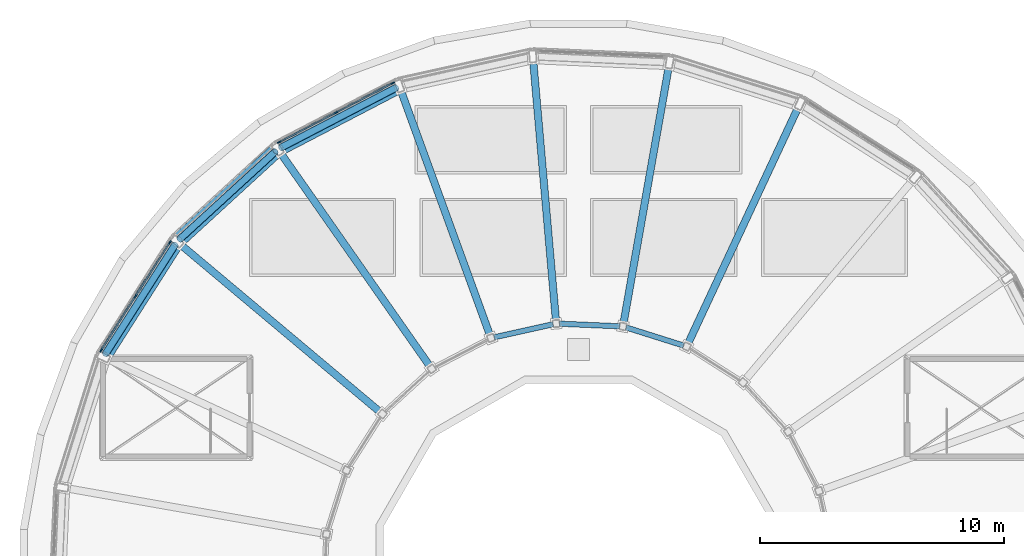
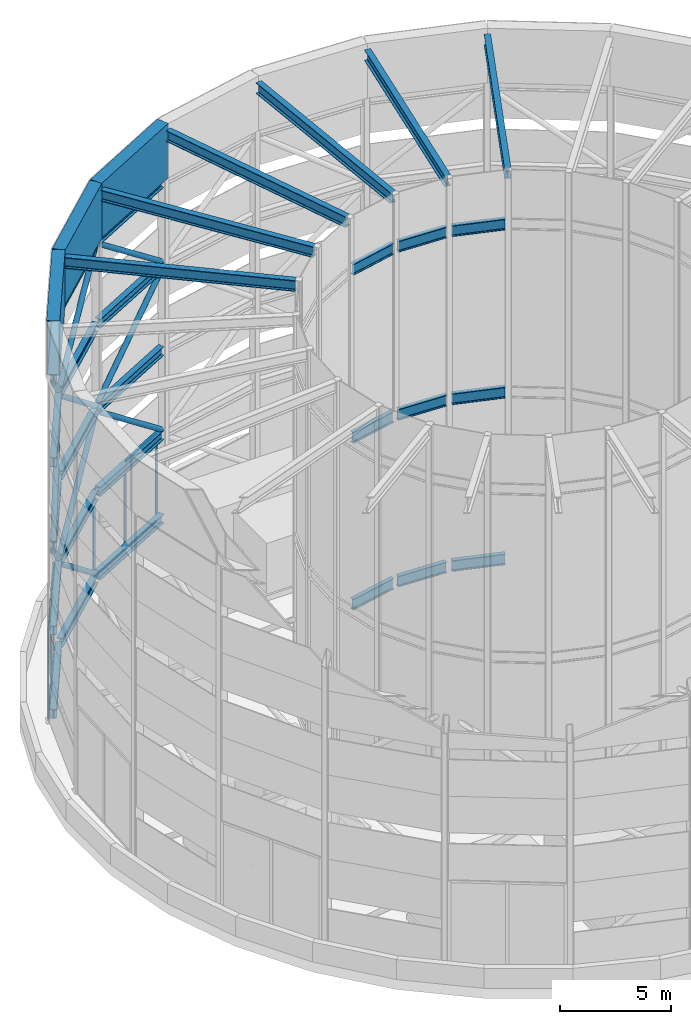
# One storey, part 10 of 20: 33 beams, 24 members, 2 elements without a shape of their own.
"""IFC4 building model written with IfcOpenShell, lengths in metres."""

from ifc_helpers import new_model, si_unit, direction, frame, origin, origin_2d, place, context, subcontext, project, spatial, rectangle, hollow_rectangle, hollow_circle, i_section, extrude, material, layer, layer_set, material_profile, profile_set, type_object, element, aggregate, save


model = new_model("IFC4")

# Units and contexts
model_context = context("Model", 3, precision=1e-05, world=origin(), true_north=direction((0.0, 1.0)))
body_context = subcontext(model_context, "Body", "Model", "MODEL_VIEW")
ifc_project = project(units=[si_unit("LENGTHUNIT", "METRE"), si_unit("AREAUNIT", "SQUARE_METRE"), si_unit("VOLUMEUNIT", "CUBIC_METRE"), si_unit("PLANEANGLEUNIT", "RADIAN"), si_unit("MASSUNIT", "GRAM", prefix="KILO")], contexts=[model_context])

# Site, building, storey
site_placement = place(None, origin())
site = spatial("IfcSite", under=ifc_project, at=site_placement, CompositionType="ELEMENT")
building_placement = place(site_placement, origin())
building = spatial("IfcBuilding", under=site, at=building_placement, Name="Saqina Gate Tower", CompositionType="ELEMENT")
storey_placement = place(building_placement, frame((0.0, 0.0, 284.199951171875)))
storey = spatial("IfcBuildingStorey", under=building, at=storey_placement, Name="RF", CompositionType="ELEMENT", Elevation=284.199951171875)

# Curtain wall, members
ifc_material_1 = material(Name="Aluminium glazing", Category="aluminium")
ifc_layer = layer(ifc_material_1, 0.159912109375)
ifc_layer_set = layer_set([ifc_layer], Name="CWT-5")
curtain_wall_type = type_object("IfcCurtainWallType", Name="CWT-5", PredefinedType="NOTDEFINED", material=ifc_layer_set)
curtain_wall_1_placement = place(storey_placement, origin())
curtain_wall_1 = element("IfcCurtainWall", 1, at=curtain_wall_1_placement, inside=storey, type_object=curtain_wall_type, Name="Crown glazing bay 8", PredefinedType="NOTDEFINED")
ifc_material_2 = material(Name="Aluminium", Category="aluminium")
ifc_material_profile_1 = material_profile(ifc_material_2, rectangle(XDim=0.06005859375, YDim=0.159912109375, at=origin_2d()), Name="Aluminium 60x160")
ifc_profile_set_1 = profile_set([ifc_material_profile_1], Name="Aluminium")
member_type_1 = type_object("IfcMemberType", Name="CWT-5M", PredefinedType="MULLION", material=ifc_profile_set_1)
member_1_placement = place(storey_placement, frame((-7.6201171875, 20.32373046875, 0.0), z_axis=(0.0, 0.0, 1.0), x_axis=(0.461751109849, -0.887009533519, 0.0)))
member_1 = element("IfcMember", 2, at=member_1_placement, type_object=member_type_1, Name="CW5-08 mullion 1", PredefinedType="MULLION", context=body_context, shape_type="SweptSolid", body=[
    extrude(rectangle(XDim=0.06005859375, YDim=0.159912109375, at=origin_2d()), origin(), (0.0, 0.0, 1.0), 4.875),
])
member_2_placement = place(storey_placement, frame((-9.948974609375, 19.111572265625, 0.0), z_axis=(0.0, 0.0, 1.0), x_axis=(0.461751109849, -0.887009533519, 0.0)))
member_2 = element("IfcMember", 3, at=member_2_placement, type_object=member_type_1, Name="CW5-08 mullion 2", PredefinedType="MULLION", context=body_context, shape_type="SweptSolid", body=[
    extrude(rectangle(XDim=0.06005859375, YDim=0.159912109375, at=origin_2d()), origin(), (0.0, 0.0, 1.0), 4.875),
])
member_3_placement = place(storey_placement, frame((-12.277587890625, 17.8994140625, 0.0), z_axis=(0.0, 0.0, 1.0), x_axis=(0.461751109849, -0.887009533519, 0.0)))
member_3 = element("IfcMember", 4, at=member_3_placement, type_object=member_type_1, Name="CW5-08 mullion 3", PredefinedType="MULLION", context=body_context, shape_type="SweptSolid", body=[
    extrude(rectangle(XDim=0.06005859375, YDim=0.159912109375, at=origin_2d()), origin(), (0.0, 0.0, 1.0), 4.875),
])

curtain_wall_2_placement = place(storey_placement, origin())
curtain_wall_2 = element("IfcCurtainWall", 5, at=curtain_wall_2_placement, inside=storey, type_object=curtain_wall_type, Name="Crown glazing bay 10", PredefinedType="NOTDEFINED")
member_4_placement = place(storey_placement, frame((-16.76123046875, 13.791015625, 0.0), z_axis=(0.0, 0.0, 1.0), x_axis=(0.843394662537, -0.537294559068, 0.0)))
member_4 = element("IfcMember", 6, at=member_4_placement, type_object=member_type_1, Name="CW5-10 mullion 1", PredefinedType="MULLION", context=body_context, shape_type="SweptSolid", body=[
    extrude(rectangle(XDim=0.06005859375, YDim=0.159912109375, at=origin_2d()), origin(), (0.0, 0.0, 1.0), 4.875),
])
member_5_placement = place(storey_placement, frame((-18.171875, 11.57666015625, 0.0), z_axis=(0.0, 0.0, 1.0), x_axis=(0.843394662537, -0.537294559068, 0.0)))
member_5 = element("IfcMember", 7, at=member_5_placement, type_object=member_type_1, Name="CW5-10 mullion 2", PredefinedType="MULLION", context=body_context, shape_type="SweptSolid", body=[
    extrude(rectangle(XDim=0.06005859375, YDim=0.159912109375, at=origin_2d()), origin(), (0.0, 0.0, 1.0), 4.875),
])
member_6_placement = place(storey_placement, frame((-19.582275390625, 9.362548828125, 0.0), z_axis=(0.0, 0.0, 1.0), x_axis=(0.843394662537, -0.537294559068, 0.0)))
member_6 = element("IfcMember", 8, at=member_6_placement, type_object=member_type_1, Name="CW5-10 mullion 3", PredefinedType="MULLION", context=body_context, shape_type="SweptSolid", body=[
    extrude(rectangle(XDim=0.06005859375, YDim=0.159912109375, at=origin_2d()), origin(), (0.0, 0.0, 1.0), 4.875),
])

# Member
ifc_material_3 = material(Name="Aluminium", Category="aluminium")
ifc_material_profile_2 = material_profile(ifc_material_3, rectangle(XDim=0.06005859375, YDim=0.1201171875, at=origin_2d()), Name="Aluminium 60x120")
ifc_profile_set_2 = profile_set([ifc_material_profile_2], Name="Aluminium")
member_type_2 = type_object("IfcMemberType", Name="CWT-5T", PredefinedType="USERDEFINED", material=ifc_profile_set_2)
member_7_placement = place(storey_placement, frame((-7.646728515625, 20.31005859375, 0.030029296875), z_axis=(-0.887018841903, -0.461733228292, 0.0), x_axis=(0.461733228292, -0.887018841903, 0.0)))
member_7 = element("IfcMember", 9, at=member_7_placement, type_object=member_type_2, Name="CW5-08 transom 1.1", ObjectType="TRANSOM", PredefinedType="USERDEFINED", context=body_context, shape_type="SweptSolid", body=[
    extrude(rectangle(XDim=0.06005859375, YDim=0.1201171875, at=origin_2d()), origin(), (0.0, 0.0, 1.0), 2.5654296875),
])

member_8_placement = place(storey_placement, frame((-7.646728515625, 20.31005859375, 4.844970703125), z_axis=(-0.887018841903, -0.461733228292, 0.0), x_axis=(0.461733228292, -0.887018841903, 0.0)))
member_8 = element("IfcMember", 10, at=member_8_placement, type_object=member_type_2, Name="CW5-08 transom 1.2", ObjectType="TRANSOM", PredefinedType="USERDEFINED", context=body_context, shape_type="SweptSolid", body=[
    extrude(rectangle(XDim=0.06005859375, YDim=0.1201171875, at=origin_2d()), origin(), (0.0, 0.0, 1.0), 2.5654296875),
])

member_9_placement = place(storey_placement, frame((-9.9755859375, 19.09765625, 0.030029296875), z_axis=(-0.88699855071, -0.461772206872, 0.0), x_axis=(0.461772206872, -0.88699855071, 0.0)))
member_9 = element("IfcMember", 11, at=member_9_placement, type_object=member_type_2, Name="CW5-08 transom 2.1", ObjectType="TRANSOM", PredefinedType="USERDEFINED", context=body_context, shape_type="SweptSolid", body=[
    extrude(rectangle(XDim=0.06005859375, YDim=0.1201171875, at=origin_2d()), origin(), (0.0, 0.0, 1.0), 2.565185546875),
])

member_10_placement = place(storey_placement, frame((-9.9755859375, 19.09765625, 4.844970703125), z_axis=(-0.88699855071, -0.461772206872, 0.0), x_axis=(0.461772206872, -0.88699855071, 0.0)))
member_10 = element("IfcMember", 12, at=member_10_placement, type_object=member_type_2, Name="CW5-08 transom 2.2", ObjectType="TRANSOM", PredefinedType="USERDEFINED", context=body_context, shape_type="SweptSolid", body=[
    extrude(rectangle(XDim=0.06005859375, YDim=0.1201171875, at=origin_2d()), origin(), (0.0, 0.0, 1.0), 2.565185546875),
])

aggregate(curtain_wall_1, [member_1, member_2, member_3, member_7, member_8, member_9, member_10])

member_11_placement = place(storey_placement, frame((-16.77734375, 13.765625, 0.030029296875), z_axis=(-0.537318789188, -0.843379225963, 0.0), x_axis=(0.843379225963, -0.537318789188, 0.0)))
member_11 = element("IfcMember", 13, at=member_11_placement, type_object=member_type_2, Name="CW5-10 transom 1.1", ObjectType="TRANSOM", PredefinedType="USERDEFINED", context=body_context, shape_type="SweptSolid", body=[
    extrude(rectangle(XDim=0.06005859375, YDim=0.1201171875, at=origin_2d()), origin(), (0.0, 0.0, 1.0), 2.5654296875),
])

member_12_placement = place(storey_placement, frame((-16.77734375, 13.765625, 4.844970703125), z_axis=(-0.537318789188, -0.843379225963, 0.0), x_axis=(0.843379225963, -0.537318789188, 0.0)))
member_12 = element("IfcMember", 14, at=member_12_placement, type_object=member_type_2, Name="CW5-10 transom 1.2", ObjectType="TRANSOM", PredefinedType="USERDEFINED", context=body_context, shape_type="SweptSolid", body=[
    extrude(rectangle(XDim=0.06005859375, YDim=0.1201171875, at=origin_2d()), origin(), (0.0, 0.0, 1.0), 2.5654296875),
])

member_13_placement = place(storey_placement, frame((-18.18798828125, 11.551513671875, 0.030029296875), z_axis=(-0.537207969155, -0.843449819418, 0.0), x_axis=(0.843449819418, -0.537207969155, 0.0)))
member_13 = element("IfcMember", 15, at=member_13_placement, type_object=member_type_2, Name="CW5-10 transom 2.1", ObjectType="TRANSOM", PredefinedType="USERDEFINED", context=body_context, shape_type="SweptSolid", body=[
    extrude(rectangle(XDim=0.06005859375, YDim=0.1201171875, at=origin_2d()), origin(), (0.0, 0.0, 1.0), 2.5654296875),
])

member_14_placement = place(storey_placement, frame((-18.18798828125, 11.551513671875, 4.844970703125), z_axis=(-0.537207969155, -0.843449819418, 0.0), x_axis=(0.843449819418, -0.537207969155, 0.0)))
member_14 = element("IfcMember", 16, at=member_14_placement, type_object=member_type_2, Name="CW5-10 transom 2.2", ObjectType="TRANSOM", PredefinedType="USERDEFINED", context=body_context, shape_type="SweptSolid", body=[
    extrude(rectangle(XDim=0.06005859375, YDim=0.1201171875, at=origin_2d()), origin(), (0.0, 0.0, 1.0), 2.5654296875),
])

aggregate(curtain_wall_2, [member_4, member_5, member_6, member_11, member_12, member_13, member_14])

# Beams
ifc_material_4 = material(Name="Steel S460", Category="steel")
ifc_material_profile_3 = material_profile(ifc_material_4, hollow_rectangle(XDim=0.60009765625, YDim=3.0, WallThickness=0.0400390625, at=origin_2d()), Name="BOX 600x3000x40")
ifc_profile_set_3 = profile_set([ifc_material_profile_3], Name="Steel S460")
beam_type_1 = type_object("IfcBeamType", Name="STR-CROWN CAP GIRDER-BOX 600x3000x40", PredefinedType="BEAM", material=ifc_profile_set_3)
beam_1_placement = place(storey_placement, frame((-7.353515625, 20.203369140625, 20.5), z_axis=(-0.887008743782, -0.461752626906, 0.0), x_axis=(0.461752626906, -0.887008743782, 0.0)))
element("IfcBeam", 17, at=beam_1_placement, inside=storey, type_object=beam_type_1, Name="CROWN CAP GIRDER 08", PredefinedType="BEAM", context=body_context, shape_type="SweptSolid", body=[
    extrude(hollow_rectangle(XDim=0.60009765625, YDim=3.0, WallThickness=0.0400390625, at=origin_2d()), origin(), (0.0, 0.0, 1.0), 5.6123046875),
])
beam_2_placement = place(storey_placement, frame((-12.331787109375, 17.61181640625, 20.5), z_axis=(-0.737273293966, -0.67559461958, 0.0), x_axis=(0.67559461958, -0.737273293966, 0.0)))
element("IfcBeam", 18, at=beam_2_placement, inside=storey, type_object=beam_type_1, Name="CROWN CAP GIRDER 09", PredefinedType="BEAM", context=body_context, shape_type="SweptSolid", body=[
    extrude(hollow_rectangle(XDim=0.60009765625, YDim=3.0, WallThickness=0.0400390625, at=origin_2d()), origin(), (0.0, 0.0, 1.0), 5.61279296875),
])
beam_3_placement = place(storey_placement, frame((-16.469970703125, 13.81982421875, 20.5), z_axis=(-0.537294803616, -0.843394506745, 0.0), x_axis=(0.843394506745, -0.537294803616, 0.0)))
element("IfcBeam", 19, at=beam_3_placement, inside=storey, type_object=beam_type_1, Name="CROWN CAP GIRDER 10", PredefinedType="BEAM", context=body_context, shape_type="SweptSolid", body=[
    extrude(hollow_rectangle(XDim=0.60009765625, YDim=3.0, WallThickness=0.0400390625, at=origin_2d()), origin(), (0.0, 0.0, 1.0), 5.612548828125),
])
ifc_material_5 = material(Name="Steel S460", Category="steel")
ifc_material_profile_4 = material_profile(ifc_material_5, i_section(OverallWidth=0.300048828125, OverallDepth=0.60009765625, WebThickness=0.015380859375, FlangeThickness=0.030029296875, FilletRadius=0.027099609375, at=origin_2d()), Name="HE 600 B")
ifc_profile_set_4 = profile_set([ifc_material_profile_4], Name="Steel S460")
beam_type_2 = type_object("IfcBeamType", Name="STR-CROWN DECK BEAM-HE 600 B", PredefinedType="BEAM", material=ifc_profile_set_4)
for number, where, z_axis, x_axis, name in (
    (20, (4.4931640625, 9.6357421875, 21.400146484375), (0.422623655806, 0.906305271723, 0.0), (-0.906305271723, 0.422623655806, 0.0), "CROWN DECK BEAM 05"),
    (21, (1.84619140625, 10.470458984375, 21.400146484375), (0.173656179436, 0.984806342051, 0.0), (-0.984806342051, 0.173656179436, 0.0), "CROWN DECK BEAM 06"),
    (22, (-0.9267578125, 10.591552734375, 21.400146484375), (-0.087140011874, 0.99619607424, 0.0), (-0.99619607424, -0.087140011874, 0.0), "CROWN DECK BEAM 07"),
):
    element("IfcBeam", number, at=place(storey_placement, frame(where, z_axis=z_axis, x_axis=x_axis)), inside=storey, type_object=beam_type_2, Name=name, PredefinedType="BEAM", context=body_context, shape_type="SweptSolid", body=[
        extrude(i_section(OverallWidth=0.300048828125, OverallDepth=0.60009765625, WebThickness=0.015380859375, FlangeThickness=0.030029296875, FilletRadius=0.027099609375, at=origin_2d()), origin(), (0.0, 0.0, 1.0), 10.568115234375),
    ])
beam_4_placement = place(storey_placement, frame((-3.636474609375, 9.99072265625, 21.400146484375), z_axis=(-0.342002737309, 0.939698955875, 0.0), x_axis=(-0.939698955875, -0.342002737309, 0.0)))
element("IfcBeam", 23, at=beam_4_placement, inside=storey, type_object=beam_type_2, Name="CROWN DECK BEAM 08", PredefinedType="BEAM", context=body_context, shape_type="SweptSolid", body=[
    extrude(i_section(OverallWidth=0.300048828125, OverallDepth=0.60009765625, WebThickness=0.015380859375, FlangeThickness=0.030029296875, FilletRadius=0.027099609375, at=origin_2d()), origin(), (0.0, 0.0, 1.0), 10.56787109375),
])
for number, where, z_axis, x_axis, name in (
    (24, (-6.09814453125, 8.709228515625, 21.400146484375), (-0.573592574994, 0.819140743652, 0.0), (-0.819140743652, -0.573592574994, 0.0), "CROWN DECK BEAM 09"),
    (25, (-8.14453125, 6.834228515625, 21.400146484375), (-0.766050628651, 0.642780237985, 0.0), (-0.642780237985, -0.766050628651, 0.0), "CROWN DECK BEAM 10"),
):
    element("IfcBeam", number, at=place(storey_placement, frame(where, z_axis=z_axis, x_axis=x_axis)), inside=storey, type_object=beam_type_2, Name=name, PredefinedType="BEAM", context=body_context, shape_type="SweptSolid", body=[
        extrude(i_section(OverallWidth=0.300048828125, OverallDepth=0.60009765625, WebThickness=0.015380859375, FlangeThickness=0.030029296875, FilletRadius=0.027099609375, at=origin_2d()), origin(), (0.0, 0.0, 1.0), 10.568115234375),
    ])

# Members
ifc_material_6 = material(Name="Steel S460", Category="steel")
ifc_material_profile_5 = material_profile(ifc_material_6, hollow_circle(Radius=0.136474609375, WallThickness=0.012451171875, at=origin_2d()), Name="CHS 273x12.5")
ifc_profile_set_5 = profile_set([ifc_material_profile_5], Name="Steel S460")
member_type_3 = type_object("IfcMemberType", Name="STR-CROWN FRAME BRACE-CHS 273x12.5", PredefinedType="BRACE", material=ifc_profile_set_5)
member_15_placement = place(storey_placement, frame((-7.469970703125, 20.142822265625, 5.113037109375), z_axis=(-0.700921995661, -0.364903517729, 0.612824427343), x_axis=(0.461775119226, -0.886997034529, 0.0)))
element("IfcMember", 26, at=member_15_placement, inside=storey, type_object=member_type_3, Name="CROWN FRAME BRACE 2-08", PredefinedType="BRACE", context=body_context, shape_type="SweptSolid", body=[
    extrude(hollow_circle(Radius=0.136474609375, WallThickness=0.012451171875, at=origin_2d()), origin(), (0.0, 0.0, 1.0), 6.770263671875),
])
member_16_placement = place(storey_placement, frame((-16.373046875, 13.90869140625, 5.113037109375), z_axis=(0.58261132659, 0.5338560336, 0.612830953459), x_axis=(-0.675584094142, 0.73728293873, 0.0)))
element("IfcMember", 27, at=member_16_placement, inside=storey, type_object=member_type_3, Name="CROWN FRAME BRACE 2-09", PredefinedType="BRACE", context=body_context, shape_type="SweptSolid", body=[
    extrude(hollow_circle(Radius=0.136474609375, WallThickness=0.012451171875, at=origin_2d()), origin(), (0.0, 0.0, 1.0), 6.77001953125),
])
for number, where, z_axis, x_axis, name in (
    (28, (-16.54052734375, 13.709228515625, 5.113037109375), (-0.424579246373, -0.666474743627, 0.612816350676), (0.843398322756, -0.537288813555, 0.0), "CROWN FRAME BRACE 2-10"),
    (29, (-12.21533203125, 17.67236328125, 9.738037109375), (0.700921995661, 0.364903517729, 0.612824427343), (-0.461775119226, 0.886997034529, 0.0), "CROWN FRAME BRACE 3-08"),
):
    element("IfcMember", number, at=place(storey_placement, frame(where, z_axis=z_axis, x_axis=x_axis)), inside=storey, type_object=member_type_3, Name=name, PredefinedType="BRACE", context=body_context, shape_type="SweptSolid", body=[
        extrude(hollow_circle(Radius=0.136474609375, WallThickness=0.012451171875, at=origin_2d()), origin(), (0.0, 0.0, 1.0), 6.770263671875),
    ])
member_17_placement = place(storey_placement, frame((-12.4287109375, 17.52294921875, 9.738037109375), z_axis=(-0.58261132659, -0.5338560336, 0.612830953459), x_axis=(0.675584094142, -0.73728293873, 0.0)))
element("IfcMember", 30, at=member_17_placement, inside=storey, type_object=member_type_3, Name="CROWN FRAME BRACE 3-09", PredefinedType="BRACE", context=body_context, shape_type="SweptSolid", body=[
    extrude(hollow_circle(Radius=0.136474609375, WallThickness=0.012451171875, at=origin_2d()), origin(), (0.0, 0.0, 1.0), 6.77001953125),
])
for number, where, z_axis, x_axis, name in (
    (31, (-19.4150390625, 9.197021484375, 9.738037109375), (0.424579246373, 0.666474743627, 0.612816350676), (-0.843398322756, 0.537288813555, 0.0), "CROWN FRAME BRACE 3-10"),
    (32, (-7.469970703125, 20.142822265625, 14.363037109375), (-0.700921995661, -0.364903517729, 0.612824427343), (0.461775119226, -0.886997034529, 0.0), "CROWN FRAME BRACE 4-08"),
):
    element("IfcMember", number, at=place(storey_placement, frame(where, z_axis=z_axis, x_axis=x_axis)), inside=storey, type_object=member_type_3, Name=name, PredefinedType="BRACE", context=body_context, shape_type="SweptSolid", body=[
        extrude(hollow_circle(Radius=0.136474609375, WallThickness=0.012451171875, at=origin_2d()), origin(), (0.0, 0.0, 1.0), 6.770263671875),
    ])
member_18_placement = place(storey_placement, frame((-16.373046875, 13.90869140625, 14.363037109375), z_axis=(0.58261132659, 0.5338560336, 0.612830953459), x_axis=(-0.675584094142, 0.73728293873, 0.0)))
element("IfcMember", 33, at=member_18_placement, inside=storey, type_object=member_type_3, Name="CROWN FRAME BRACE 4-09", PredefinedType="BRACE", context=body_context, shape_type="SweptSolid", body=[
    extrude(hollow_circle(Radius=0.136474609375, WallThickness=0.012451171875, at=origin_2d()), origin(), (0.0, 0.0, 1.0), 6.77001953125),
])
member_19_placement = place(storey_placement, frame((-16.54052734375, 13.709228515625, 14.363037109375), z_axis=(-0.424579246373, -0.666474743627, 0.612816350676), x_axis=(0.843398322756, -0.537288813555, 0.0)))
element("IfcMember", 34, at=member_19_placement, inside=storey, type_object=member_type_3, Name="CROWN FRAME BRACE 4-10", PredefinedType="BRACE", context=body_context, shape_type="SweptSolid", body=[
    extrude(hollow_circle(Radius=0.136474609375, WallThickness=0.012451171875, at=origin_2d()), origin(), (0.0, 0.0, 1.0), 6.770263671875),
])
ifc_material_7 = material(Name="Steel S460", Category="steel")
ifc_material_profile_6 = material_profile(ifc_material_7, hollow_circle(Radius=0.136474609375, WallThickness=0.02490234375, at=origin_2d()), Name="CHS 273x25")
ifc_profile_set_6 = profile_set([ifc_material_profile_6], Name="Steel S460")
member_type_4 = type_object("IfcMemberType", Name="STR-CROWN FRAME BRACE-CHS 273x25", PredefinedType="BRACE", material=ifc_profile_set_6)
member_20_placement = place(storey_placement, frame((-12.4287109375, 17.52294921875, 0.512939453125), z_axis=(-0.583925118672, -0.5350598822, 0.610526312491), x_axis=(0.675584094142, -0.73728293873, 0.0)))
element("IfcMember", 35, at=member_20_placement, inside=storey, type_object=member_type_4, Name="CROWN FRAME BRACE 1-09", PredefinedType="BRACE", context=body_context, shape_type="SweptSolid", body=[
    extrude(hollow_circle(Radius=0.136474609375, WallThickness=0.02490234375, at=origin_2d()), origin(), (0.0, 0.0, 1.0), 6.7548828125),
])

# Beams
ifc_material_8 = material(Name="Steel S460", Category="steel")
ifc_material_profile_7 = material_profile(ifc_material_8, i_section(OverallWidth=0.219970703125, OverallDepth=0.60009765625, WebThickness=0.011962890625, FlangeThickness=0.01904296875, FilletRadius=0.02392578125, at=origin_2d()), Name="IPE 600")
ifc_profile_set_7 = profile_set([ifc_material_profile_7], Name="Steel S460")
beam_type_3 = type_object("IfcBeamType", Name="STR-CROWN RING BEAM INNER-IPE 600", PredefinedType="BEAM", material=ifc_profile_set_7)
for number, where, z_axis, x_axis, name in (
    (36, (4.312255859375, 9.5556640625, 0.324951171875), (-0.953709121727, 0.300730628861, 0.0), (-0.300730628861, -0.953709121727, 0.0), "CROWN RING BEAM INNER 1-05"),
    (37, (1.692138671875, 10.34619140625, 0.324951171875), (-0.999047402719, 0.043638138376, 0.0), (-0.043638138376, -0.999047402719, 0.0), "CROWN RING BEAM INNER 1-06"),
):
    element("IfcBeam", number, at=place(storey_placement, frame(where, z_axis=z_axis, x_axis=x_axis)), inside=storey, type_object=beam_type_3, Name=name, PredefinedType="BEAM", context=body_context, shape_type="SweptSolid", body=[
        extrude(i_section(OverallWidth=0.219970703125, OverallDepth=0.60009765625, WebThickness=0.011962890625, FlangeThickness=0.01904296875, FilletRadius=0.02392578125, at=origin_2d()), origin(), (0.0, 0.0, 1.0), 2.478515625),
    ])
beam_5_placement = place(storey_placement, frame((-1.043212890625, 10.431640625, 0.324951171875), z_axis=(-0.976305112027, -0.216398540267, 0.0), x_axis=(0.216398540267, -0.976305112027, 0.0)))
element("IfcBeam", 38, at=beam_5_placement, inside=storey, type_object=beam_type_3, Name="CROWN RING BEAM INNER 1-07", PredefinedType="BEAM", context=body_context, shape_type="SweptSolid", body=[
    extrude(i_section(OverallWidth=0.219970703125, OverallDepth=0.60009765625, WebThickness=0.011962890625, FlangeThickness=0.01904296875, FilletRadius=0.02392578125, at=origin_2d()), origin(), (0.0, 0.0, 1.0), 2.478759765625),
])
for number, where, z_axis, x_axis, name in (
    (39, (4.312255859375, 9.5556640625, 9.5), (-0.953709121727, 0.300730628861, 0.0), (-0.300730628861, -0.953709121727, 0.0), "CROWN RING BEAM INNER 3-05"),
    (40, (1.692138671875, 10.34619140625, 9.5), (-0.999047402719, 0.043638138376, 0.0), (-0.043638138376, -0.999047402719, 0.0), "CROWN RING BEAM INNER 3-06"),
):
    element("IfcBeam", number, at=place(storey_placement, frame(where, z_axis=z_axis, x_axis=x_axis)), inside=storey, type_object=beam_type_3, Name=name, PredefinedType="BEAM", context=body_context, shape_type="SweptSolid", body=[
        extrude(i_section(OverallWidth=0.219970703125, OverallDepth=0.60009765625, WebThickness=0.011962890625, FlangeThickness=0.01904296875, FilletRadius=0.02392578125, at=origin_2d()), origin(), (0.0, 0.0, 1.0), 2.478515625),
    ])
beam_6_placement = place(storey_placement, frame((-1.043212890625, 10.431640625, 9.5), z_axis=(-0.976305112027, -0.216398540267, 0.0), x_axis=(0.216398540267, -0.976305112027, 0.0)))
element("IfcBeam", 41, at=beam_6_placement, inside=storey, type_object=beam_type_3, Name="CROWN RING BEAM INNER 3-07", PredefinedType="BEAM", context=body_context, shape_type="SweptSolid", body=[
    extrude(i_section(OverallWidth=0.219970703125, OverallDepth=0.60009765625, WebThickness=0.011962890625, FlangeThickness=0.01904296875, FilletRadius=0.02392578125, at=origin_2d()), origin(), (0.0, 0.0, 1.0), 2.478759765625),
])
for number, where, z_axis, x_axis, name in (
    (42, (4.312255859375, 9.5556640625, 18.75), (-0.953709121727, 0.300730628861, 0.0), (-0.300730628861, -0.953709121727, 0.0), "CROWN RING BEAM INNER 5-05"),
    (43, (1.692138671875, 10.34619140625, 18.75), (-0.999047402719, 0.043638138376, 0.0), (-0.043638138376, -0.999047402719, 0.0), "CROWN RING BEAM INNER 5-06"),
):
    element("IfcBeam", number, at=place(storey_placement, frame(where, z_axis=z_axis, x_axis=x_axis)), inside=storey, type_object=beam_type_3, Name=name, PredefinedType="BEAM", context=body_context, shape_type="SweptSolid", body=[
        extrude(i_section(OverallWidth=0.219970703125, OverallDepth=0.60009765625, WebThickness=0.011962890625, FlangeThickness=0.01904296875, FilletRadius=0.02392578125, at=origin_2d()), origin(), (0.0, 0.0, 1.0), 2.478515625),
    ])
beam_7_placement = place(storey_placement, frame((-1.043212890625, 10.431640625, 18.75), z_axis=(-0.976305112027, -0.216398540267, 0.0), x_axis=(0.216398540267, -0.976305112027, 0.0)))
element("IfcBeam", 44, at=beam_7_placement, inside=storey, type_object=beam_type_3, Name="CROWN RING BEAM INNER 5-07", PredefinedType="BEAM", context=body_context, shape_type="SweptSolid", body=[
    extrude(i_section(OverallWidth=0.219970703125, OverallDepth=0.60009765625, WebThickness=0.011962890625, FlangeThickness=0.01904296875, FilletRadius=0.02392578125, at=origin_2d()), origin(), (0.0, 0.0, 1.0), 2.478759765625),
])
ifc_material_9 = material(Name="Steel S460", Category="steel")
ifc_material_profile_8 = material_profile(ifc_material_9, i_section(OverallWidth=0.300048828125, OverallDepth=0.5, WebThickness=0.014404296875, FlangeThickness=0.028076171875, FilletRadius=0.027099609375, at=origin_2d()), Name="HE 500 B")
ifc_profile_set_8 = profile_set([ifc_material_profile_8], Name="Steel S460")
beam_type_4 = type_object("IfcBeamType", Name="STR-CROWN RING BEAM-HE 500 B", PredefinedType="BEAM", material=ifc_profile_set_8)
for number, where, z_axis, x_axis, name in (
    (45, (-7.469970703125, 20.142822265625, 0.275146484375), (-0.886997034529, -0.461775119226, 0.0), (0.461775119226, -0.886997034529, 0.0), "CROWN RING BEAM 1-08"),
    (46, (-12.4287109375, 17.52294921875, 0.275146484375), (-0.73728293873, -0.675584094142, 0.0), (0.675584094142, -0.73728293873, 0.0), "CROWN RING BEAM 1-09"),
):
    element("IfcBeam", number, at=place(storey_placement, frame(where, z_axis=z_axis, x_axis=x_axis)), inside=storey, type_object=beam_type_4, Name=name, PredefinedType="BEAM", context=body_context, shape_type="SweptSolid", body=[
        extrude(i_section(OverallWidth=0.300048828125, OverallDepth=0.5, WebThickness=0.014404296875, FlangeThickness=0.028076171875, FilletRadius=0.027099609375, at=origin_2d()), origin(), (0.0, 0.0, 1.0), 5.349853515625),
    ])
beam_8_placement = place(storey_placement, frame((-16.54052734375, 13.709228515625, 0.275146484375), z_axis=(-0.537288813555, -0.843398322756, 0.0), x_axis=(0.843398322756, -0.537288813555, 0.0)))
element("IfcBeam", 47, at=beam_8_placement, inside=storey, type_object=beam_type_4, Name="CROWN RING BEAM 1-10", PredefinedType="BEAM", context=body_context, shape_type="SweptSolid", body=[
    extrude(i_section(OverallWidth=0.300048828125, OverallDepth=0.5, WebThickness=0.014404296875, FlangeThickness=0.028076171875, FilletRadius=0.027099609375, at=origin_2d()), origin(), (0.0, 0.0, 1.0), 5.35009765625),
])
for number, where, z_axis, x_axis, name in (
    (48, (-7.469970703125, 20.142822265625, 4.875), (-0.886997034529, -0.461775119226, 0.0), (0.461775119226, -0.886997034529, 0.0), "CROWN RING BEAM 2-08"),
    (49, (-12.4287109375, 17.52294921875, 4.875), (-0.73728293873, -0.675584094142, 0.0), (0.675584094142, -0.73728293873, 0.0), "CROWN RING BEAM 2-09"),
):
    element("IfcBeam", number, at=place(storey_placement, frame(where, z_axis=z_axis, x_axis=x_axis)), inside=storey, type_object=beam_type_4, Name=name, PredefinedType="BEAM", context=body_context, shape_type="SweptSolid", body=[
        extrude(i_section(OverallWidth=0.300048828125, OverallDepth=0.5, WebThickness=0.014404296875, FlangeThickness=0.028076171875, FilletRadius=0.027099609375, at=origin_2d()), origin(), (0.0, 0.0, 1.0), 5.349853515625),
    ])
beam_9_placement = place(storey_placement, frame((-16.54052734375, 13.709228515625, 4.875), z_axis=(-0.537288813555, -0.843398322756, 0.0), x_axis=(0.843398322756, -0.537288813555, 0.0)))
element("IfcBeam", 50, at=beam_9_placement, inside=storey, type_object=beam_type_4, Name="CROWN RING BEAM 2-10", PredefinedType="BEAM", context=body_context, shape_type="SweptSolid", body=[
    extrude(i_section(OverallWidth=0.300048828125, OverallDepth=0.5, WebThickness=0.014404296875, FlangeThickness=0.028076171875, FilletRadius=0.027099609375, at=origin_2d()), origin(), (0.0, 0.0, 1.0), 5.35009765625),
])
for number, where, z_axis, x_axis, name in (
    (51, (-7.469970703125, 20.142822265625, 9.5), (-0.886997034529, -0.461775119226, 0.0), (0.461775119226, -0.886997034529, 0.0), "CROWN RING BEAM 3-08"),
    (52, (-12.4287109375, 17.52294921875, 9.5), (-0.73728293873, -0.675584094142, 0.0), (0.675584094142, -0.73728293873, 0.0), "CROWN RING BEAM 3-09"),
):
    element("IfcBeam", number, at=place(storey_placement, frame(where, z_axis=z_axis, x_axis=x_axis)), inside=storey, type_object=beam_type_4, Name=name, PredefinedType="BEAM", context=body_context, shape_type="SweptSolid", body=[
        extrude(i_section(OverallWidth=0.300048828125, OverallDepth=0.5, WebThickness=0.014404296875, FlangeThickness=0.028076171875, FilletRadius=0.027099609375, at=origin_2d()), origin(), (0.0, 0.0, 1.0), 5.349853515625),
    ])
beam_10_placement = place(storey_placement, frame((-16.54052734375, 13.709228515625, 9.5), z_axis=(-0.537288813555, -0.843398322756, 0.0), x_axis=(0.843398322756, -0.537288813555, 0.0)))
element("IfcBeam", 53, at=beam_10_placement, inside=storey, type_object=beam_type_4, Name="CROWN RING BEAM 3-10", PredefinedType="BEAM", context=body_context, shape_type="SweptSolid", body=[
    extrude(i_section(OverallWidth=0.300048828125, OverallDepth=0.5, WebThickness=0.014404296875, FlangeThickness=0.028076171875, FilletRadius=0.027099609375, at=origin_2d()), origin(), (0.0, 0.0, 1.0), 5.35009765625),
])
for number, where, z_axis, x_axis, name in (
    (54, (-7.469970703125, 20.142822265625, 14.125), (-0.886997034529, -0.461775119226, 0.0), (0.461775119226, -0.886997034529, 0.0), "CROWN RING BEAM 4-08"),
    (55, (-12.4287109375, 17.52294921875, 14.125), (-0.73728293873, -0.675584094142, 0.0), (0.675584094142, -0.73728293873, 0.0), "CROWN RING BEAM 4-09"),
):
    element("IfcBeam", number, at=place(storey_placement, frame(where, z_axis=z_axis, x_axis=x_axis)), inside=storey, type_object=beam_type_4, Name=name, PredefinedType="BEAM", context=body_context, shape_type="SweptSolid", body=[
        extrude(i_section(OverallWidth=0.300048828125, OverallDepth=0.5, WebThickness=0.014404296875, FlangeThickness=0.028076171875, FilletRadius=0.027099609375, at=origin_2d()), origin(), (0.0, 0.0, 1.0), 5.349853515625),
    ])
beam_11_placement = place(storey_placement, frame((-16.54052734375, 13.709228515625, 14.125), z_axis=(-0.537288813555, -0.843398322756, 0.0), x_axis=(0.843398322756, -0.537288813555, 0.0)))
element("IfcBeam", 56, at=beam_11_placement, inside=storey, type_object=beam_type_4, Name="CROWN RING BEAM 4-10", PredefinedType="BEAM", context=body_context, shape_type="SweptSolid", body=[
    extrude(i_section(OverallWidth=0.300048828125, OverallDepth=0.5, WebThickness=0.014404296875, FlangeThickness=0.028076171875, FilletRadius=0.027099609375, at=origin_2d()), origin(), (0.0, 0.0, 1.0), 5.35009765625),
])
for number, where, z_axis, x_axis, name in (
    (57, (-7.469970703125, 20.142822265625, 18.75), (-0.886997034529, -0.461775119226, 0.0), (0.461775119226, -0.886997034529, 0.0), "CROWN RING BEAM 5-08"),
    (58, (-12.4287109375, 17.52294921875, 18.75), (-0.73728293873, -0.675584094142, 0.0), (0.675584094142, -0.73728293873, 0.0), "CROWN RING BEAM 5-09"),
):
    element("IfcBeam", number, at=place(storey_placement, frame(where, z_axis=z_axis, x_axis=x_axis)), inside=storey, type_object=beam_type_4, Name=name, PredefinedType="BEAM", context=body_context, shape_type="SweptSolid", body=[
        extrude(i_section(OverallWidth=0.300048828125, OverallDepth=0.5, WebThickness=0.014404296875, FlangeThickness=0.028076171875, FilletRadius=0.027099609375, at=origin_2d()), origin(), (0.0, 0.0, 1.0), 5.349853515625),
    ])
beam_12_placement = place(storey_placement, frame((-16.54052734375, 13.709228515625, 18.75), z_axis=(-0.537288813555, -0.843398322756, 0.0), x_axis=(0.843398322756, -0.537288813555, 0.0)))
element("IfcBeam", 59, at=beam_12_placement, inside=storey, type_object=beam_type_4, Name="CROWN RING BEAM 5-10", PredefinedType="BEAM", context=body_context, shape_type="SweptSolid", body=[
    extrude(i_section(OverallWidth=0.300048828125, OverallDepth=0.5, WebThickness=0.014404296875, FlangeThickness=0.028076171875, FilletRadius=0.027099609375, at=origin_2d()), origin(), (0.0, 0.0, 1.0), 5.35009765625),
])

save(model, "model.ifc")
